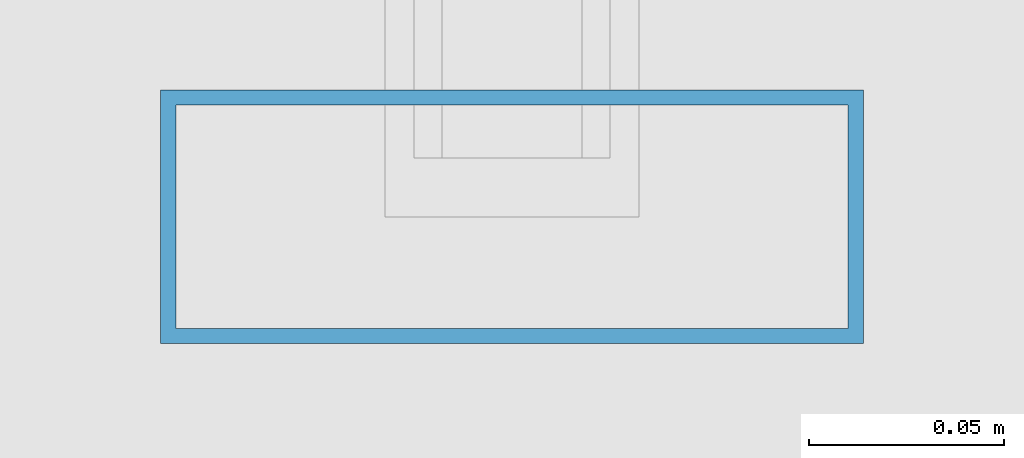
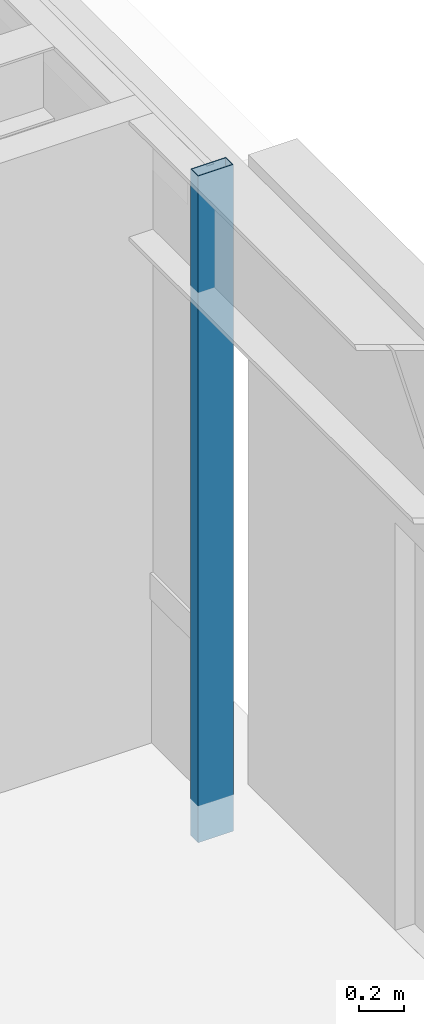
# One storey, part 15 of 31: 1 member, 1 element without a shape of its own.
"""IFC4 building model written with IfcOpenShell, lengths in metres."""

from ifc_helpers import new_model, si_unit, direction, frame, origin, origin_2d, place, context, subcontext, project, spatial, hollow_rectangle, extrude, material, layer, layer_set, material_profile, profile_set, type_object, element, aggregate, save


model = new_model("IFC4")

# Units and contexts
model_context = context("Model", 3, precision=1e-05, world=origin(), true_north=direction((0.0, 1.0)))
body_context = subcontext(model_context, "Body", "Model", "MODEL_VIEW")
ifc_project = project(units=[si_unit("LENGTHUNIT", "METRE"), si_unit("AREAUNIT", "SQUARE_METRE"), si_unit("VOLUMEUNIT", "CUBIC_METRE"), si_unit("PLANEANGLEUNIT", "RADIAN"), si_unit("MASSUNIT", "GRAM", prefix="KILO")], contexts=[model_context])

# Site, building, storey
site_placement = place(None, origin())
site = spatial("IfcSite", under=ifc_project, at=site_placement, CompositionType="ELEMENT")
building_placement = place(site_placement, origin())
building = spatial("IfcBuilding", under=site, at=building_placement, Name="Brelmoor Portico Tower", CompositionType="ELEMENT")
storey_placement = place(building_placement, frame((0.0, 0.0, 106.199951171875)))
storey = spatial("IfcBuildingStorey", under=building, at=storey_placement, Name="L27", CompositionType="ELEMENT", Elevation=106.199951171875)

# Curtain wall, member
ifc_material = material(Name="Anodised Aluminium Alloy 6063-T6", Category="aluminium")
ifc_layer = layer(ifc_material, 0.179931640625)
ifc_layer_set = layer_set([ifc_layer], Name="Anodised Aluminium Alloy 6063-T6")
curtain_wall_type = type_object("IfcCurtainWallType", Name="CW-TOWER-Z2", PredefinedType="NOTDEFINED", material=ifc_layer_set)
curtain_wall_placement = place(storey_placement, origin())
curtain_wall = element("IfcCurtainWall", 1, at=curtain_wall_placement, inside=storey, type_object=curtain_wall_type, Name="L27 Curtain Wall CW-L27-4R-1", PredefinedType="NOTDEFINED")
ifc_material_profile = material_profile(ifc_material, hollow_rectangle(XDim=0.06494140625, YDim=0.179931640625, WallThickness=0.00390625, at=origin_2d()), Name="ALU MULLION 65x180")
ifc_profile_set = profile_set([ifc_material_profile], Name="Anodised Aluminium Alloy 6063-T6")
member_type = type_object("IfcMemberType", Name="MB-CW-MULL-180", PredefinedType="MULLION", material=ifc_profile_set)
member_placement = place(storey_placement, frame((22.550048828125, -4.5, -0.199951171875), z_axis=(0.0, 0.0, 1.0), x_axis=(0.0, 1.0, 0.0)))
member = element("IfcMember", 2, at=member_placement, type_object=member_type, Name="CW-L27-4R-1 Mullion 00", PredefinedType="MULLION", context=body_context, shape_type="SweptSolid", body=[
    extrude(hollow_rectangle(XDim=0.06494140625, YDim=0.179931640625, WallThickness=0.00390625, at=origin_2d()), origin(), (0.0, 0.0, 1.0), 3.60009765625),
])
aggregate(curtain_wall, [member])

save(model, "model.ifc")
